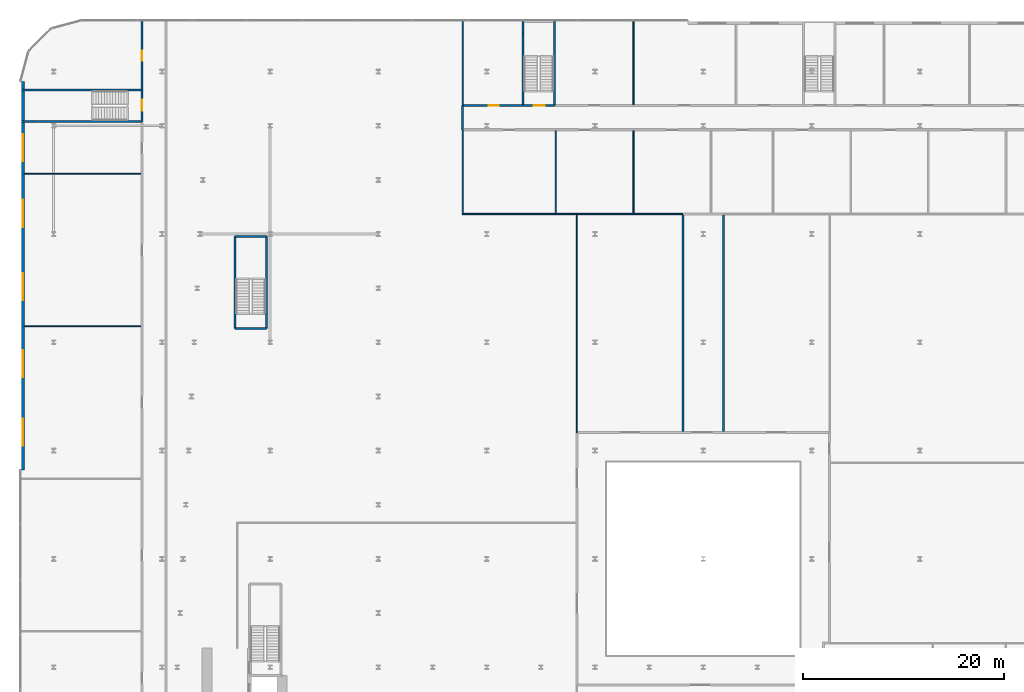
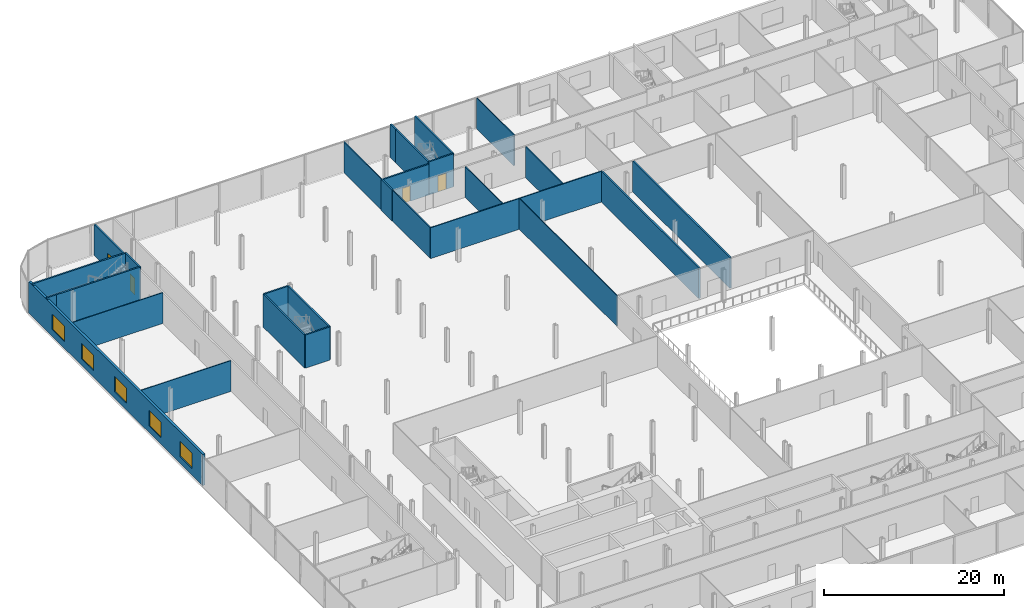
# One storey, part 34 of 47: 27 walls, 5 windows, 4 doors, 9 openings.
"""IFC4 building model written with IfcOpenShell, lengths in metres."""

from ifc_helpers import new_model, si_unit, direction, frame, frame_2d, origin, place, context, subcontext, project, spatial, rectangle, extrude, source, transform, mapped, material, layer, layer_set, type_object, element, fill, save


model = new_model("IFC4")

# Units and contexts
model_context = context("Model", 3, precision=1e-05, world=origin(), true_north=direction((0.0, 1.0)))
body_context = subcontext(model_context, "Body", "Model", "MODEL_VIEW")
ifc_project = project(units=[si_unit("LENGTHUNIT", "METRE"), si_unit("AREAUNIT", "SQUARE_METRE"), si_unit("VOLUMEUNIT", "CUBIC_METRE"), si_unit("PLANEANGLEUNIT", "RADIAN"), si_unit("MASSUNIT", "GRAM", prefix="KILO")], contexts=[model_context])

# Site, building, storey
site_placement = place(None, origin())
site = spatial("IfcSite", under=ifc_project, at=site_placement, CompositionType="ELEMENT")
building_placement = place(site_placement, origin())
building = spatial("IfcBuilding", under=site, at=building_placement, Name="Kheshtan School and Residences Tower", CompositionType="ELEMENT")
storey_placement = place(building_placement, frame((0.0, 0.0, 12.5)))
storey = spatial("IfcBuildingStorey", under=building, at=storey_placement, Name="L02", CompositionType="ELEMENT", Elevation=12.5)

# Walls
ifc_material_1 = material(Name="Gypsum board on steel studs with mineral wool", Category="steel")
ifc_layer_1 = layer(ifc_material_1, 0.125)
ifc_layer_set_1 = layer_set([ifc_layer_1], Name="Acoustic partition 125")
wall_type_1 = type_object("IfcWallType", Name="Acoustic partition 125", PredefinedType="PARTITIONING", material=ifc_layer_set_1)
wall_1_placement = place(storey_placement, frame((55.93798828125, 90.800048828125, 0.0), z_axis=(0.0, 0.0, 1.0), x_axis=(1.0, 0.0, 0.0)))
element("IfcWall", 1, at=wall_1_placement, inside=storey, type_object=wall_type_1, Name="Partition L02-020", PredefinedType="PARTITIONING", context=body_context, shape_type="SweptSolid", body=[
    extrude(rectangle(XDim=22.06201171875, YDim=0.125, at=frame_2d((11.031005859375, 0.0))), origin(), (0.0, 0.0, 1.0), 4.179931640625),
])
wall_2_placement = place(storey_placement, frame((56.0, 90.862060546875, 0.0), z_axis=(0.0, 0.0, 1.0), x_axis=(0.0, 1.0, 0.0)))
element("IfcWall", 2, at=wall_2_placement, inside=storey, type_object=wall_type_1, Name="Partition L02-021", PredefinedType="PARTITIONING", context=body_context, shape_type="SweptSolid", body=[
    extrude(rectangle(XDim=8.337890625, YDim=0.125, at=frame_2d((4.1689453125, 0.0))), origin(), (0.0, 0.0, 1.0), 4.179931640625),
])
wall_3_placement = place(storey_placement, frame((56.0, 101.60009765625, 0.0), z_axis=(0.0, 0.0, 1.0), x_axis=(0.0, 1.0, 0.0)))
element("IfcWall", 3, at=wall_3_placement, inside=storey, type_object=wall_type_1, Name="Partition L02-023", PredefinedType="PARTITIONING", context=body_context, shape_type="SweptSolid", body=[
    extrude(rectangle(XDim=8.39990234375, YDim=0.125, at=frame_2d((4.199951171875, 0.0))), origin(), (0.0, 0.0, 1.0), 4.179931640625),
])
for number, where, z_axis, x_axis, name in (
    (4, (65.2890625, 90.862060546875, 0.0), (0.0, 0.0, 1.0), (0.0, 1.0, 0.0), "Partition L02-027"),
    (5, (73.029052734375, 90.862060546875, 0.0), (0.0, 0.0, 1.0), (0.0, 1.0, 0.0), "Partition L02-034"),
):
    element("IfcWall", number, at=place(storey_placement, frame(where, z_axis=z_axis, x_axis=x_axis)), inside=storey, type_object=wall_type_1, Name=name, PredefinedType="PARTITIONING", context=body_context, shape_type="SweptSolid", body=[
        extrude(rectangle(XDim=8.238037109375, YDim=0.125, at=frame_2d((4.119140625, 0.0))), origin(), (0.0, 0.0, 1.0), 4.179931640625),
    ])
wall_4_placement = place(storey_placement, frame((73.0419921875, 101.699951171875, 0.0), z_axis=(0.0, 0.0, 1.0), x_axis=(0.0, 1.0, 0.0)))
element("IfcWall", 6, at=wall_4_placement, inside=storey, type_object=wall_type_1, Name="Partition L02-035", PredefinedType="PARTITIONING", context=body_context, shape_type="SweptSolid", body=[
    extrude(rectangle(XDim=8.300048828125, YDim=0.125, at=frame_2d((4.14990234375, 0.0))), origin(), (0.0, 0.0, 1.0), 4.179931640625),
])

# Wall, opening, door
ifc_material_2 = material(Name="Gypsum board on steel studs with fire boards", Category="steel")
ifc_layer_2 = layer(ifc_material_2, 0.199951171875)
ifc_layer_set_2 = layer_set([ifc_layer_2], Name="Corridor wall 200")
wall_type_2 = type_object("IfcWallType", Name="Corridor wall 200", PredefinedType="PARTITIONING", material=ifc_layer_set_2)
wall_5_placement = place(storey_placement, frame((24.0, 103.14990234375, 0.0), z_axis=(0.0, 0.0, 1.0), x_axis=(0.0, 1.0, 0.0)))
wall_5 = element("IfcWall", 7, at=wall_5_placement, inside=storey, type_object=wall_type_2, Name="Partition L02-013", PredefinedType="PARTITIONING", context=body_context, shape_type="SweptSolid", body=[
    extrude(rectangle(XDim=6.85009765625, YDim=0.199951171875, at=frame_2d((3.425048828125, 0.0))), origin(), (0.0, 0.0, 1.0), 4.179931640625),
])
opening_1_placement = place(wall_5_placement, frame((2.949951171875, 0.0, 0.0)))
opening_1 = element("IfcOpeningElement", 8, at=opening_1_placement, cuts=wall_5, Name="Opening D02-058", PredefinedType="OPENING", context=body_context, shape_type="SweptSolid", body=[
    extrude(rectangle(XDim=1.0, YDim=2.10009765625, at=frame_2d((0.5, 1.050048828125))), frame((0.0, 0.10986328125, 0.0), z_axis=(0.0, -1.0, 0.0), x_axis=(1.0, 0.0, 0.0)), (0.0, 0.0, 1.0), 0.219970703125),
])
ifc_material_3 = material(Name="Steel-framed fire-resisting door leaf", Category="steel")
door_type_1 = type_object("IfcDoorType", Name="Fire door FD60 1000 x 2100", OperationType="SINGLE_SWING_LEFT", PredefinedType="DOOR", material=ifc_material_3)
shared_shape_1 = source(origin(), body_context, "Body", "SweptSolid", [
    extrude(rectangle(XDim=1.0, YDim=2.10009765625, at=frame_2d((0.5, 1.050048828125))), frame((0.0, 0.02490234375, 0.0), z_axis=(0.0, -1.0, 0.0), x_axis=(1.0, 0.0, 0.0)), (0.0, 0.0, 1.0), 0.050048828125),
])
door_1_placement = place(opening_1_placement, origin())
door_1 = element("IfcDoor", 9, at=door_1_placement, inside=storey, type_object=door_type_1, Name="Door D02-058", OperationType="SINGLE_SWING_RIGHT", OverallHeight=2.10009765625, OverallWidth=1.0, PredefinedType="DOOR", context=body_context, shape_type="MappedRepresentation", body=[
    mapped(shared_shape_1, transform((0.0, 0.0, 0.0), x_axis=(1.0, 0.0, 0.0), y_axis=(0.0, 1.0, 0.0), z_axis=(0.0, 0.0, 1.0), scale=1.0)),
])
fill(opening_1, door_1)

# Wall
wall_6_placement = place(storey_placement, frame((56.0, 99.199951171875, 0.0), z_axis=(0.0, 0.0, 1.0), x_axis=(0.0, 1.0, 0.0)))
element("IfcWall", 10, at=wall_6_placement, inside=storey, type_object=wall_type_2, Name="Partition L02-022", PredefinedType="PARTITIONING", context=body_context, shape_type="SweptSolid", body=[
    extrude(rectangle(XDim=2.400146484375, YDim=0.199951171875, at=frame_2d((1.2001953125, 0.0))), origin(), (0.0, 0.0, 1.0), 4.179931640625),
])

# Wall, opening, door
wall_7_placement = place(storey_placement, frame((56.10009765625, 101.60009765625, 0.0), z_axis=(0.0, 0.0, 1.0), x_axis=(1.0, 0.0, 0.0)))
wall_7 = element("IfcWall", 11, at=wall_7_placement, inside=storey, type_object=wall_type_2, Name="Partition L02-025", PredefinedType="PARTITIONING", context=body_context, shape_type="SweptSolid", body=[
    extrude(rectangle(XDim=5.89990234375, YDim=0.199951171875, at=frame_2d((2.949951171875, 0.0))), origin(), (0.0, 0.0, 1.0), 4.179931640625),
])
opening_2_placement = place(wall_7_placement, frame((2.5, 0.0, 0.0)))
opening_2 = element("IfcOpeningElement", 12, at=opening_2_placement, cuts=wall_7, Name="Opening D02-024", PredefinedType="OPENING", context=body_context, shape_type="SweptSolid", body=[
    extrude(rectangle(XDim=1.0, YDim=2.10009765625, at=frame_2d((0.5, 1.050048828125))), frame((0.0, 0.10986328125, 0.0), z_axis=(0.0, -1.0, 0.0), x_axis=(1.0, 0.0, 0.0)), (0.0, 0.0, 1.0), 0.219970703125),
])
door_2_placement = place(opening_2_placement, origin())
door_2 = element("IfcDoor", 13, at=door_2_placement, inside=storey, type_object=door_type_1, Name="Door D02-024", OperationType="SINGLE_SWING_LEFT", OverallHeight=2.10009765625, OverallWidth=1.0, PredefinedType="DOOR", context=body_context, shape_type="MappedRepresentation", body=[
    mapped(shared_shape_1, transform((0.0, 0.0, 0.0), x_axis=(1.0, 0.0, 0.0), y_axis=(0.0, 1.0, 0.0), z_axis=(0.0, 0.0, 1.0), scale=1.0)),
])
fill(opening_2, door_2)

# Walls
for number, where, z_axis, x_axis, name in (
    (14, (78.0, 69.10009765625, 0.0), (0.0, 0.0, 1.0), (0.0, 1.0, 0.0), "Partition L02-036"),
    (15, (82.0, 69.10009765625, 0.0), (0.0, 0.0, 1.0), (0.0, 1.0, 0.0), "Partition L02-040"),
):
    element("IfcWall", number, at=place(storey_placement, frame(where, z_axis=z_axis, x_axis=x_axis)), inside=storey, type_object=wall_type_2, Name=name, PredefinedType="PARTITIONING", context=body_context, shape_type="SweptSolid", body=[
        extrude(rectangle(XDim=21.599853515625, YDim=0.199951171875, at=frame_2d((10.7998046875, 0.0))), origin(), (0.0, 0.0, 1.0), 4.179931640625),
    ])
ifc_material_4 = material(Name="Gypsum board on steel studs", Category="steel")
ifc_layer_3 = layer(ifc_material_4, 0.10009765625)
ifc_layer_set_3 = layer_set([ifc_layer_3], Name="Gypsum partition 100")
wall_type_3 = type_object("IfcWallType", Name="Gypsum partition 100", PredefinedType="PARTITIONING", material=ifc_layer_set_3)
for number, where, z_axis, x_axis, name in (
    (16, (12.299072265625, 79.60009765625, 0.0), (0.0, 0.0, 1.0), (1.0, 0.0, 0.0), "Partition L02-006"),
    (17, (12.299072265625, 94.800048828125, 0.0), (0.0, 0.0, 1.0), (1.0, 0.0, 0.0), "Partition L02-007"),
):
    element("IfcWall", number, at=place(storey_placement, frame(where, z_axis=z_axis, x_axis=x_axis)), inside=storey, type_object=wall_type_3, Name=name, PredefinedType="PARTITIONING", context=body_context, shape_type="SweptSolid", body=[
        extrude(rectangle(XDim=11.600830078125, YDim=0.10009765625, at=frame_2d((5.80029296875, 0.0))), origin(), (0.0, 0.0, 1.0), 4.179931640625),
    ])
wall_8_placement = place(storey_placement, frame((67.39990234375, 69.0, 0.0), z_axis=(0.0, 0.0, 1.0), x_axis=(0.0, 1.0, 0.0)))
element("IfcWall", 18, at=wall_8_placement, inside=storey, type_object=wall_type_3, Name="Partition L02-031", PredefinedType="PARTITIONING", context=body_context, shape_type="SweptSolid", body=[
    extrude(rectangle(XDim=21.738037109375, YDim=0.10009765625, at=frame_2d((10.869140625, 0.0))), origin(), (0.0, 0.0, 1.0), 4.179931640625),
])

# Wall, openings, windows
ifc_material_5 = material(Name="Concrete C40/50 with ceramic cladding and mineral wool insulation", Category="concrete")
ifc_layer_4 = layer(ifc_material_5, 0.300048828125)
ifc_layer_set_4 = layer_set([ifc_layer_4], Name="Podium external wall 300")
wall_type_4 = type_object("IfcWallType", Name="Podium external wall 300", PredefinedType="SOLIDWALL", material=ifc_layer_set_4)
wall_9_placement = place(storey_placement, frame((12.14990234375, 65.280029296875, 0.0), z_axis=(0.0, 0.0, 1.0), x_axis=(0.0, 1.0, 0.0)))
wall_9 = element("IfcWall", 19, at=wall_9_placement, inside=storey, type_object=wall_type_4, Name="Podium external wall L02 16.1", PredefinedType="SOLIDWALL", context=body_context, shape_type="SweptSolid", body=[
    extrude(rectangle(XDim=38.719970703125, YDim=0.300048828125, at=frame_2d((19.35986328125, 0.0))), origin(), (0.0, 0.0, 1.0), 4.25),
])
opening_3_placement = place(wall_9_placement, frame((2.3798828125, 0.0, 0.89990234375)))
opening_3 = element("IfcOpeningElement", 20, at=opening_3_placement, cuts=wall_9, Name="Opening WN-D", PredefinedType="OPENING", context=body_context, shape_type="SweptSolid", body=[
    extrude(rectangle(XDim=2.699951171875, YDim=2.10009765625, at=frame_2d((1.35009765625, 1.050048828125))), frame((0.0, 0.16015625, 0.0), z_axis=(0.0, -1.0, 0.0), x_axis=(1.0, 0.0, 0.0)), (0.0, 0.0, 1.0), 0.320068359375),
])
opening_4_placement = place(wall_9_placement, frame((9.239990234375, 0.0, 0.89990234375)))
opening_4 = element("IfcOpeningElement", 21, at=opening_4_placement, cuts=wall_9, Name="Opening WN-D", PredefinedType="OPENING", context=body_context, shape_type="SweptSolid", body=[
    extrude(rectangle(XDim=2.699951171875, YDim=2.10009765625, at=frame_2d((1.35009765625, 1.050048828125))), frame((0.0, 0.16015625, 0.0), z_axis=(0.0, -1.0, 0.0), x_axis=(1.0, 0.0, 0.0)), (0.0, 0.0, 1.0), 0.320068359375),
])
opening_5_placement = place(wall_9_placement, frame((16.919921875, 0.0, 0.89990234375)))
opening_5 = element("IfcOpeningElement", 22, at=opening_5_placement, cuts=wall_9, Name="Opening WN-D", PredefinedType="OPENING", context=body_context, shape_type="SweptSolid", body=[
    extrude(rectangle(XDim=2.699951171875, YDim=2.10009765625, at=frame_2d((1.35009765625, 1.050048828125))), frame((0.0, 0.16015625, 0.0), z_axis=(0.0, -1.0, 0.0), x_axis=(1.0, 0.0, 0.0)), (0.0, 0.0, 1.0), 0.320068359375),
])
opening_6_placement = place(wall_9_placement, frame((24.219970703125, 0.0, 0.89990234375)))
opening_6 = element("IfcOpeningElement", 23, at=opening_6_placement, cuts=wall_9, Name="Opening WN-D", PredefinedType="OPENING", context=body_context, shape_type="SweptSolid", body=[
    extrude(rectangle(XDim=2.699951171875, YDim=2.10009765625, at=frame_2d((1.35009765625, 1.050048828125))), frame((0.0, 0.16015625, 0.0), z_axis=(0.0, -1.0, 0.0), x_axis=(1.0, 0.0, 0.0)), (0.0, 0.0, 1.0), 0.320068359375),
])
opening_7_placement = place(wall_9_placement, frame((30.77001953125, 0.0, 0.89990234375)))
opening_7 = element("IfcOpeningElement", 24, at=opening_7_placement, cuts=wall_9, Name="Opening WN-D", PredefinedType="OPENING", context=body_context, shape_type="SweptSolid", body=[
    extrude(rectangle(XDim=2.699951171875, YDim=2.10009765625, at=frame_2d((1.35009765625, 1.050048828125))), frame((0.0, 0.16015625, 0.0), z_axis=(0.0, -1.0, 0.0), x_axis=(1.0, 0.0, 0.0)), (0.0, 0.0, 1.0), 0.320068359375),
])
ifc_material_6 = material(Name="Clear low-e glass in thermally broken aluminium frame", Category="aluminium")
window_type = type_object("IfcWindowType", Name="Window WN-D", PartitioningType="SINGLE_PANEL", PredefinedType="WINDOW", material=ifc_material_6)
shared_shape_2 = source(origin(), body_context, "Body", "SweptSolid", [
    extrude(rectangle(XDim=2.699951171875, YDim=2.10009765625, at=frame_2d((1.35009765625, 1.050048828125))), frame((0.0, 0.030029296875, 0.0), z_axis=(0.0, -1.0, 0.0), x_axis=(1.0, 0.0, 0.0)), (0.0, 0.0, 1.0), 0.06005859375),
])
window_1_placement = place(opening_3_placement, origin())
window_1 = element("IfcWindow", 25, at=window_1_placement, inside=storey, type_object=window_type, Name="Window L02 16.1.1", OverallHeight=2.10009765625, OverallWidth=2.699951171875, PartitioningType="SINGLE_PANEL", PredefinedType="WINDOW", context=body_context, shape_type="MappedRepresentation", body=[
    mapped(shared_shape_2, transform((0.0, 0.0, 0.0), x_axis=(1.0, 0.0, 0.0), y_axis=(0.0, 1.0, 0.0), z_axis=(0.0, 0.0, 1.0), scale=1.0)),
])
fill(opening_3, window_1)
window_2_placement = place(opening_4_placement, origin())
window_2 = element("IfcWindow", 26, at=window_2_placement, inside=storey, type_object=window_type, Name="Window L02 16.1.2", OverallHeight=2.10009765625, OverallWidth=2.699951171875, PartitioningType="SINGLE_PANEL", PredefinedType="WINDOW", context=body_context, shape_type="MappedRepresentation", body=[
    mapped(shared_shape_2, transform((0.0, 0.0, 0.0), x_axis=(1.0, 0.0, 0.0), y_axis=(0.0, 1.0, 0.0), z_axis=(0.0, 0.0, 1.0), scale=1.0)),
])
fill(opening_4, window_2)
window_3_placement = place(opening_5_placement, origin())
window_3 = element("IfcWindow", 27, at=window_3_placement, inside=storey, type_object=window_type, Name="Window L02 16.1.3", OverallHeight=2.10009765625, OverallWidth=2.699951171875, PartitioningType="SINGLE_PANEL", PredefinedType="WINDOW", context=body_context, shape_type="MappedRepresentation", body=[
    mapped(shared_shape_2, transform((0.0, 0.0, 0.0), x_axis=(1.0, 0.0, 0.0), y_axis=(0.0, 1.0, 0.0), z_axis=(0.0, 0.0, 1.0), scale=1.0)),
])
fill(opening_5, window_3)
window_4_placement = place(opening_6_placement, origin())
window_4 = element("IfcWindow", 28, at=window_4_placement, inside=storey, type_object=window_type, Name="Window L02 16.1.4", OverallHeight=2.10009765625, OverallWidth=2.699951171875, PartitioningType="SINGLE_PANEL", PredefinedType="WINDOW", context=body_context, shape_type="MappedRepresentation", body=[
    mapped(shared_shape_2, transform((0.0, 0.0, 0.0), x_axis=(1.0, 0.0, 0.0), y_axis=(0.0, 1.0, 0.0), z_axis=(0.0, 0.0, 1.0), scale=1.0)),
])
fill(opening_6, window_4)
window_5_placement = place(opening_7_placement, origin())
window_5 = element("IfcWindow", 29, at=window_5_placement, inside=storey, type_object=window_type, Name="Window L02 16.1.5", OverallHeight=2.10009765625, OverallWidth=2.699951171875, PartitioningType="SINGLE_PANEL", PredefinedType="WINDOW", context=body_context, shape_type="MappedRepresentation", body=[
    mapped(shared_shape_2, transform((0.0, 0.0, 0.0), x_axis=(1.0, 0.0, 0.0), y_axis=(0.0, 1.0, 0.0), z_axis=(0.0, 0.0, 1.0), scale=1.0)),
])
fill(opening_7, window_5)

# Walls
ifc_material_7 = material(Name="Concrete C40/50", Category="concrete")
ifc_layer_5 = layer(ifc_material_7, 0.199951171875)
ifc_layer_set_5 = layer_set([ifc_layer_5], Name="Stair enclosure wall 200 Concrete C40/50")
wall_type_5 = type_object("IfcWallType", Name="Stair enclosure wall 200 Concrete C40/50", PredefinedType="SHEAR", material=ifc_layer_set_5)
for number, where, z_axis, x_axis, name in (
    (30, (33.300048828125, 79.39990234375, 0.0), (0.0, 0.0, 1.0), (1.0, 0.0, 0.0), "Stair enclosure wall ST3"),
    (31, (33.300048828125, 88.56005859375, 0.0), (0.0, 0.0, 1.0), (1.0, 0.0, 0.0), "Stair enclosure wall ST3"),
):
    element("IfcWall", number, at=place(storey_placement, frame(where, z_axis=z_axis, x_axis=x_axis)), inside=storey, type_object=wall_type_5, Name=name, PredefinedType="SHEAR", context=body_context, shape_type="SweptSolid", body=[
        extrude(rectangle(XDim=3.14990234375, YDim=0.199951171875, at=frame_2d((1.574951171875, 0.0))), origin(), (0.0, 0.0, 1.0), 4.5),
    ])
for number, where, z_axis, x_axis, name in (
    (32, (33.300048828125, 79.39990234375, 0.0), (0.0, 0.0, 1.0), (0.0, 1.0, 0.0), "Stair enclosure wall ST3"),
    (33, (36.449951171875, 79.39990234375, 0.0), (0.0, 0.0, 1.0), (0.0, 1.0, 0.0), "Stair enclosure wall ST3"),
):
    element("IfcWall", number, at=place(storey_placement, frame(where, z_axis=z_axis, x_axis=x_axis)), inside=storey, type_object=wall_type_5, Name=name, PredefinedType="SHEAR", context=body_context, shape_type="SweptSolid", body=[
        extrude(rectangle(XDim=9.16015625, YDim=0.199951171875, at=frame_2d((4.580078125, 0.0))), origin(), (0.0, 0.0, 1.0), 4.5),
    ])

# Wall, opening, door
wall_10_placement = place(storey_placement, frame((62.0, 101.60009765625, 0.0), z_axis=(0.0, 0.0, 1.0), x_axis=(1.0, 0.0, 0.0)))
wall_10 = element("IfcWall", 34, at=wall_10_placement, inside=storey, type_object=wall_type_5, Name="Stair enclosure wall", PredefinedType="SHEAR", context=body_context, shape_type="SweptSolid", body=[
    extrude(rectangle(XDim=3.14990234375, YDim=0.199951171875, at=frame_2d((1.574951171875, 0.0))), origin(), (0.0, 0.0, 1.0), 4.5),
])
opening_8_placement = place(wall_10_placement, frame((1.10009765625, 0.0, 0.0)))
opening_8 = element("IfcOpeningElement", 35, at=opening_8_placement, cuts=wall_10, Name="Opening SD90", PredefinedType="OPENING", context=body_context, shape_type="SweptSolid", body=[
    extrude(rectangle(XDim=1.10009765625, YDim=2.199951171875, at=frame_2d((0.550048828125, 1.10009765625))), frame((0.0, 0.10986328125, 0.0), z_axis=(0.0, -1.0, 0.0), x_axis=(1.0, 0.0, 0.0)), (0.0, 0.0, 1.0), 0.219970703125),
])
ifc_material_8 = material(Name="Steel door leaf, galvanised", Category="steel")
door_type_2 = type_object("IfcDoorType", Name="Stair door 1100 steel 90 min", OperationType="SINGLE_SWING_LEFT", PredefinedType="DOOR", material=ifc_material_8)
shared_shape_3 = source(origin(), body_context, "Body", "SweptSolid", [
    extrude(rectangle(XDim=1.10009765625, YDim=2.199951171875, at=frame_2d((0.550048828125, 1.10009765625))), frame((0.0, 0.02490234375, 0.0), z_axis=(0.0, -1.0, 0.0), x_axis=(1.0, 0.0, 0.0)), (0.0, 0.0, 1.0), 0.050048828125),
])
door_3_placement = place(opening_8_placement, origin())
door_3 = element("IfcDoor", 36, at=door_3_placement, inside=storey, type_object=door_type_2, Name="Stair door", OperationType="SINGLE_SWING_RIGHT", OverallHeight=2.199951171875, OverallWidth=1.10009765625, PredefinedType="DOOR", context=body_context, shape_type="MappedRepresentation", body=[
    mapped(shared_shape_3, transform((0.0, 0.0, 0.0), x_axis=(1.0, 0.0, 0.0), y_axis=(0.0, 1.0, 0.0), z_axis=(0.0, 0.0, 1.0), scale=1.0)),
])
fill(opening_8, door_3)

# Walls
wall_11_placement = place(storey_placement, frame((62.0, 101.60009765625, 0.0), z_axis=(0.0, 0.0, 1.0), x_axis=(0.0, 1.0, 0.0)))
element("IfcWall", 37, at=wall_11_placement, inside=storey, type_object=wall_type_5, Name="Stair enclosure wall", PredefinedType="SHEAR", context=body_context, shape_type="SweptSolid", body=[
    extrude(rectangle(XDim=7.199951171875, YDim=0.199951171875, at=frame_2d((3.60009765625, 0.0))), origin(), (0.0, 0.0, 1.0), 4.5),
])
wall_12_placement = place(storey_placement, frame((62.0, 108.800048828125, 0.0), z_axis=(0.0, 0.0, 1.0), x_axis=(0.0, 1.0, 0.0)))
element("IfcWall", 38, at=wall_12_placement, inside=storey, type_object=wall_type_5, Name="Stair enclosure wall", PredefinedType="SHEAR", context=body_context, shape_type="SweptSolid", body=[
    extrude(rectangle(XDim=1.199951171875, YDim=0.199951171875, at=frame_2d((0.60009765625, 0.0))), origin(), (0.0, 0.0, 1.0), 4.5),
])
wall_13_placement = place(storey_placement, frame((65.14990234375, 101.60009765625, 0.0), z_axis=(0.0, 0.0, 1.0), x_axis=(0.0, 1.0, 0.0)))
element("IfcWall", 39, at=wall_13_placement, inside=storey, type_object=wall_type_5, Name="Stair enclosure wall", PredefinedType="SHEAR", context=body_context, shape_type="SweptSolid", body=[
    extrude(rectangle(XDim=8.39990234375, YDim=0.199951171875, at=frame_2d((4.199951171875, 0.0))), origin(), (0.0, 0.0, 1.0), 4.5),
])
wall_14_placement = place(storey_placement, frame((12.0, 100.0, 0.0), z_axis=(0.0, 0.0, 1.0), x_axis=(1.0, 0.0, 0.0)))
element("IfcWall", 40, at=wall_14_placement, inside=storey, type_object=wall_type_5, Name="Stair enclosure wall", PredefinedType="SHEAR", context=body_context, shape_type="SweptSolid", body=[
    extrude(rectangle(XDim=1.199951171875, YDim=0.199951171875, at=frame_2d((0.60009765625, 0.0))), origin(), (0.0, 0.0, 1.0), 4.5),
])
wall_15_placement = place(storey_placement, frame((13.199951171875, 100.0, 0.0), z_axis=(0.0, 0.0, 1.0), x_axis=(1.0, 0.0, 0.0)))
element("IfcWall", 41, at=wall_15_placement, inside=storey, type_object=wall_type_5, Name="Stair enclosure wall", PredefinedType="SHEAR", context=body_context, shape_type="SweptSolid", body=[
    extrude(rectangle(XDim=10.800048828125, YDim=0.199951171875, at=frame_2d((5.39990234375, 0.0))), origin(), (0.0, 0.0, 1.0), 4.5),
])
wall_16_placement = place(storey_placement, frame((12.0, 103.14990234375, 0.0), z_axis=(0.0, 0.0, 1.0), x_axis=(1.0, 0.0, 0.0)))
element("IfcWall", 42, at=wall_16_placement, inside=storey, type_object=wall_type_5, Name="Stair enclosure wall", PredefinedType="SHEAR", context=body_context, shape_type="SweptSolid", body=[
    extrude(rectangle(XDim=12.0, YDim=0.199951171875, at=frame_2d((6.0, 0.0))), origin(), (0.0, 0.0, 1.0), 4.5),
])

# Wall, opening, door
wall_17_placement = place(storey_placement, frame((24.0, 100.0, 0.0), z_axis=(0.0, 0.0, 1.0), x_axis=(0.0, 1.0, 0.0)))
wall_17 = element("IfcWall", 43, at=wall_17_placement, inside=storey, type_object=wall_type_5, Name="Stair enclosure wall", PredefinedType="SHEAR", context=body_context, shape_type="SweptSolid", body=[
    extrude(rectangle(XDim=3.14990234375, YDim=0.199951171875, at=frame_2d((1.574951171875, 0.0))), origin(), (0.0, 0.0, 1.0), 4.5),
])
opening_9_placement = place(wall_17_placement, frame((1.10009765625, 0.0, 0.0)))
opening_9 = element("IfcOpeningElement", 44, at=opening_9_placement, cuts=wall_17, Name="Opening SD90", PredefinedType="OPENING", context=body_context, shape_type="SweptSolid", body=[
    extrude(rectangle(XDim=1.10009765625, YDim=2.199951171875, at=frame_2d((0.550048828125, 1.10009765625))), frame((0.0, 0.10986328125, 0.0), z_axis=(0.0, -1.0, 0.0), x_axis=(1.0, 0.0, 0.0)), (0.0, 0.0, 1.0), 0.219970703125),
])
door_4_placement = place(opening_9_placement, origin())
door_4 = element("IfcDoor", 45, at=door_4_placement, inside=storey, type_object=door_type_2, Name="Stair door", OperationType="SINGLE_SWING_RIGHT", OverallHeight=2.199951171875, OverallWidth=1.10009765625, PredefinedType="DOOR", context=body_context, shape_type="MappedRepresentation", body=[
    mapped(shared_shape_3, transform((0.0, 0.0, 0.0), x_axis=(1.0, 0.0, 0.0), y_axis=(0.0, 1.0, 0.0), z_axis=(0.0, 0.0, 1.0), scale=1.0)),
])
fill(opening_9, door_4)

save(model, "model.ifc")
